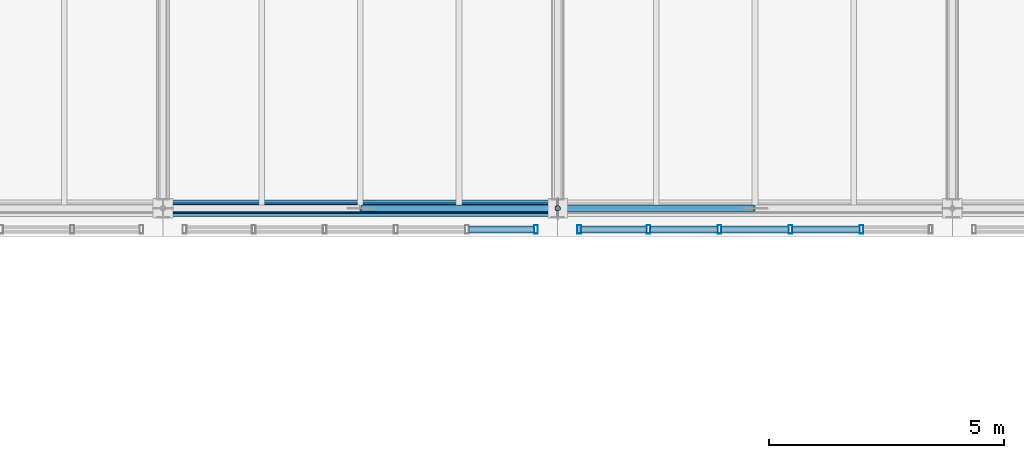
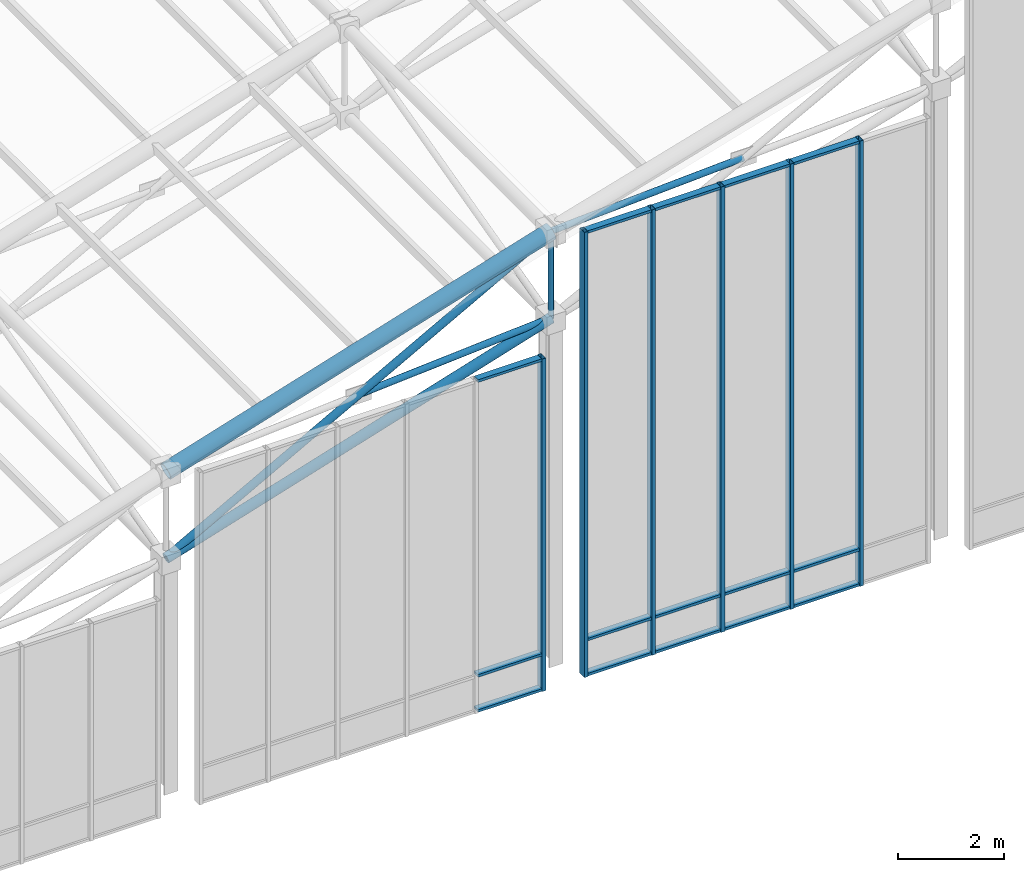
# One storey, part 18 of 144: 27 members, 2 elements without a shape of their own.
"""IFC4 building model written with IfcOpenShell, lengths in metres."""

from ifc_helpers import new_model, si_unit, direction, frame, origin, origin_2d, place, context, subcontext, project, spatial, hollow_rectangle, hollow_circle, extrude, material, layer, layer_set, material_profile, profile_set, type_object, element, aggregate, save


model = new_model("IFC4")

# Units and contexts
model_context = context("Model", 3, precision=1e-05, world=origin(), true_north=direction((0.0, 1.0)))
body_context = subcontext(model_context, "Body", "Model", "MODEL_VIEW")
ifc_project = project(units=[si_unit("LENGTHUNIT", "METRE"), si_unit("AREAUNIT", "SQUARE_METRE"), si_unit("VOLUMEUNIT", "CUBIC_METRE"), si_unit("PLANEANGLEUNIT", "RADIAN"), si_unit("MASSUNIT", "GRAM", prefix="KILO")], contexts=[model_context])

# Site, building, storey
site_placement = place(None, origin())
site = spatial("IfcSite", under=ifc_project, at=site_placement, CompositionType="ELEMENT")
building_placement = place(site_placement, origin())
building = spatial("IfcBuilding", under=site, at=building_placement, Name="Zayran Congress Hotel", CompositionType="ELEMENT")
storey_placement = place(building_placement, frame((0.0, 0.0, 19.199951171875)))
storey = spatial("IfcBuildingStorey", under=building, at=storey_placement, Name="L04", CompositionType="ELEMENT", Elevation=19.199951171875)

# Members
ifc_material_1 = material(Name="Steel S355", Category="steel")
ifc_material_profile_1 = material_profile(ifc_material_1, hollow_circle(Radius=0.177734375, WallThickness=0.01611328125, at=origin_2d()), Name="CHS 355.6x16")
ifc_profile_set_1 = profile_set([ifc_material_profile_1], Name="Steel S355")
member_type_1 = type_object("IfcMemberType", Name="TP-SF-TC1", PredefinedType="CHORD", material=ifc_profile_set_1)
member_1_placement = place(storey_placement, frame((25.199951171875, 68.199951171875, 7.302001953125), z_axis=(0.955284210171, 0.0, 0.29568915739), x_axis=(0.0, 1.0, 0.0)))
element("IfcMember", 1, at=member_1_placement, inside=storey, type_object=member_type_1, Name="Space Frame Top Chord X 113", PredefinedType="CHORD", context=body_context, shape_type="SweptSolid", body=[
    extrude(hollow_circle(Radius=0.177734375, WallThickness=0.01611328125, at=origin_2d()), origin(), (0.0, 0.0, 1.0), 8.79345703125),
])
ifc_material_profile_2 = material_profile(ifc_material_1, hollow_circle(Radius=0.109619140625, WallThickness=0.010009765625, at=origin_2d()), Name="CHS 219.1x10")
ifc_profile_set_2 = profile_set([ifc_material_profile_2], Name="Steel S355")
member_type_2 = type_object("IfcMemberType", Name="TP-SF-BC1", PredefinedType="CHORD", material=ifc_profile_set_2)
member_2_placement = place(storey_placement, frame((25.199951171875, 68.199951171875, 5.300048828125), z_axis=(0.955284210171, 0.0, 0.29568915739), x_axis=(0.0, 1.0, 0.0)))
element("IfcMember", 2, at=member_2_placement, inside=storey, type_object=member_type_2, Name="Space Frame Bottom Chord X 114", PredefinedType="CHORD", context=body_context, shape_type="SweptSolid", body=[
    extrude(hollow_circle(Radius=0.109619140625, WallThickness=0.010009765625, at=origin_2d()), origin(), (0.0, 0.0, 1.0), 8.79345703125),
])
ifc_material_profile_3 = material_profile(ifc_material_1, hollow_circle(Radius=0.084228515625, WallThickness=0.008056640625, at=origin_2d()), Name="CHS 168.3x8")
ifc_profile_set_3 = profile_set([ifc_material_profile_3], Name="Steel S355")
member_type_3 = type_object("IfcMemberType", Name="TP-SF-DG1", PredefinedType="BRACE", material=ifc_profile_set_3)
member_3_placement = place(storey_placement, frame((25.199951171875, 68.199951171875, 5.300048828125), z_axis=(0.877009581124, 0.0, 0.480472886453), x_axis=(0.0, 1.0, 0.0)))
element("IfcMember", 3, at=member_3_placement, inside=storey, type_object=member_type_3, Name="Space Frame Web Diagonal X 115", PredefinedType="BRACE", context=body_context, shape_type="SweptSolid", body=[
    extrude(hollow_circle(Radius=0.084228515625, WallThickness=0.008056640625, at=origin_2d()), origin(), (0.0, 0.0, 1.0), 9.578125),
])
ifc_material_profile_4 = material_profile(ifc_material_1, hollow_circle(Radius=0.06982421875, WallThickness=0.00634765625, at=origin_2d()), Name="CHS 139.7x6.3")
ifc_profile_set_4 = profile_set([ifc_material_profile_4], Name="Steel S355")
member_type_4 = type_object("IfcMemberType", Name="TP-SF-DG2", PredefinedType="BRACE", material=ifc_profile_set_4)
member_4_placement = place(storey_placement, frame((29.4150390625, 68.199951171875, 7.60205078125), z_axis=(0.997472858069, 0.0, 0.071048556744), x_axis=(0.0, 1.0, 0.0)))
element("IfcMember", 4, at=member_4_placement, inside=storey, type_object=member_type_4, Name="Space Frame Counter Diagonal X Lower 21", PredefinedType="BRACE", context=body_context, shape_type="SweptSolid", body=[
    extrude(hollow_circle(Radius=0.06982421875, WallThickness=0.00634765625, at=origin_2d()), origin(), (0.0, 0.0, 1.0), 4.195556640625),
])
member_5_placement = place(storey_placement, frame((33.60009765625, 68.199951171875, 9.902099609375), z_axis=(0.998581382954, 0.0, 0.053246799138), x_axis=(0.0, 1.0, 0.0)))
element("IfcMember", 5, at=member_5_placement, inside=storey, type_object=member_type_4, Name="Space Frame Counter Diagonal X Upper 169", PredefinedType="BRACE", context=body_context, shape_type="SweptSolid", body=[
    extrude(hollow_circle(Radius=0.06982421875, WallThickness=0.00634765625, at=origin_2d()), origin(), (0.0, 0.0, 1.0), 4.190673828125),
])
ifc_material_profile_5 = material_profile(ifc_material_1, hollow_circle(Radius=0.05712890625, WallThickness=0.00634765625, at=origin_2d()), Name="CHS 114.3x6.3")
ifc_profile_set_5 = profile_set([ifc_material_profile_5], Name="Steel S355")
member_type_5 = type_object("IfcMemberType", Name="TP-SF-DG3", PredefinedType="BRACE", material=ifc_profile_set_5)
member_6_placement = place(storey_placement, frame((33.60009765625, 68.199951171875, 7.900146484375), z_axis=(0.0, 0.0, 1.0), x_axis=(0.0, 1.0, 0.0)))
element("IfcMember", 6, at=member_6_placement, inside=storey, type_object=member_type_5, Name="Space Frame Web Strut 173", PredefinedType="BRACE", context=body_context, shape_type="SweptSolid", body=[
    extrude(hollow_circle(Radius=0.05712890625, WallThickness=0.00634765625, at=origin_2d()), origin(), (0.0, 0.0, 1.0), 2.001953125),
])

# Curtain wall, member
ifc_material_2 = material(Name="Anodised aluminium and low-E insulated glass", Category="aluminium")
ifc_layer_1 = layer(ifc_material_2, 0.179931640625)
ifc_layer_set_1 = layer_set([ifc_layer_1], Name="Anodised aluminium and low-E insulated glass")
curtain_wall_type_1 = type_object("IfcCurtainWallType", Name="CW-V1CL-L04-CW-13-7560-7670", PredefinedType="USERDEFINED", material=ifc_layer_set_1)
curtain_wall_1_placement = place(storey_placement, origin())
curtain_wall_1 = element("IfcCurtainWall", 7, at=curtain_wall_1_placement, inside=storey, type_object=curtain_wall_type_1, Name="CW-V1CLS-2", ObjectType="CURTAIN WALL", PredefinedType="USERDEFINED")
ifc_material_3 = material(Name="Anodised aluminium framing", Category="aluminium")
ifc_material_profile_6 = material_profile(ifc_material_3, hollow_rectangle(XDim=0.080078125, YDim=0.179931640625, WallThickness=0.0048828125, at=origin_2d()), Name="RHS 180x80x5")
ifc_profile_set_6 = profile_set([ifc_material_profile_6], Name="Anodised aluminium framing")
member_type_6 = type_object("IfcMemberType", Name="TP-CWM-01", PredefinedType="MULLION", material=ifc_profile_set_6)
member_7_placement = place(storey_placement, frame((33.139892578125, 67.75, -0.219970703125), z_axis=(0.0, 0.0, 1.0), x_axis=(1.0, 0.0, 0.0)))
member_7 = element("IfcMember", 8, at=member_7_placement, type_object=member_type_6, Name="CW-V1CLS-2-M05", PredefinedType="MULLION", context=body_context, shape_type="SweptSolid", body=[
    extrude(hollow_rectangle(XDim=0.080078125, YDim=0.179931640625, WallThickness=0.0048828125, at=origin_2d()), origin(), (0.0, 0.0, 1.0), 7.669921875),
])

# Curtain wall, members
ifc_layer_2 = layer(ifc_material_2, 0.179931640625)
ifc_layer_set_2 = layer_set([ifc_layer_2], Name="Anodised aluminium and low-E insulated glass")
curtain_wall_type_2 = type_object("IfcCurtainWallType", Name="CW-V1CL-L04-CW-11-7560-10270", PredefinedType="USERDEFINED", material=ifc_layer_set_2)
curtain_wall_2_placement = place(storey_placement, origin())
curtain_wall_2 = element("IfcCurtainWall", 9, at=curtain_wall_2_placement, inside=storey, type_object=curtain_wall_type_2, Name="CW-V1CLS-3", ObjectType="CURTAIN WALL", PredefinedType="USERDEFINED")
member_8_placement = place(storey_placement, frame((34.06005859375, 67.75, -0.219970703125), z_axis=(0.0, 0.0, 1.0), x_axis=(1.0, 0.0, 0.0)))
member_8 = element("IfcMember", 10, at=member_8_placement, type_object=member_type_6, Name="CW-V1CLS-3-M00", PredefinedType="MULLION", context=body_context, shape_type="SweptSolid", body=[
    extrude(hollow_rectangle(XDim=0.080078125, YDim=0.179931640625, WallThickness=0.0048828125, at=origin_2d()), origin(), (0.0, 0.0, 1.0), 10.27001953125),
])
member_9_placement = place(storey_placement, frame((35.531982421875, 67.75, -0.219970703125), z_axis=(0.0, 0.0, 1.0), x_axis=(1.0, 0.0, 0.0)))
member_9 = element("IfcMember", 11, at=member_9_placement, type_object=member_type_6, Name="CW-V1CLS-3-M01", PredefinedType="MULLION", context=body_context, shape_type="SweptSolid", body=[
    extrude(hollow_rectangle(XDim=0.080078125, YDim=0.179931640625, WallThickness=0.0048828125, at=origin_2d()), origin(), (0.0, 0.0, 1.0), 10.27001953125),
])
member_10_placement = place(storey_placement, frame((37.0439453125, 67.75, -0.219970703125), z_axis=(0.0, 0.0, 1.0), x_axis=(1.0, 0.0, 0.0)))
member_10 = element("IfcMember", 12, at=member_10_placement, type_object=member_type_6, Name="CW-V1CLS-3-M02", PredefinedType="MULLION", context=body_context, shape_type="SweptSolid", body=[
    extrude(hollow_rectangle(XDim=0.080078125, YDim=0.179931640625, WallThickness=0.0048828125, at=origin_2d()), origin(), (0.0, 0.0, 1.0), 10.27001953125),
])
member_11_placement = place(storey_placement, frame((38.555908203125, 67.75, -0.219970703125), z_axis=(0.0, 0.0, 1.0), x_axis=(1.0, 0.0, 0.0)))
member_11 = element("IfcMember", 13, at=member_11_placement, type_object=member_type_6, Name="CW-V1CLS-3-M03", PredefinedType="MULLION", context=body_context, shape_type="SweptSolid", body=[
    extrude(hollow_rectangle(XDim=0.080078125, YDim=0.179931640625, WallThickness=0.0048828125, at=origin_2d()), origin(), (0.0, 0.0, 1.0), 10.27001953125),
])
member_12_placement = place(storey_placement, frame((40.068115234375, 67.75, -0.219970703125), z_axis=(0.0, 0.0, 1.0), x_axis=(1.0, 0.0, 0.0)))
member_12 = element("IfcMember", 14, at=member_12_placement, type_object=member_type_6, Name="CW-V1CLS-3-M04", PredefinedType="MULLION", context=body_context, shape_type="SweptSolid", body=[
    extrude(hollow_rectangle(XDim=0.080078125, YDim=0.179931640625, WallThickness=0.0048828125, at=origin_2d()), origin(), (0.0, 0.0, 1.0), 10.27001953125),
])

# Member
ifc_material_profile_7 = material_profile(ifc_material_3, hollow_rectangle(XDim=0.06005859375, YDim=0.14990234375, WallThickness=0.00390625, at=origin_2d()), Name="RHS 150x60x4")
ifc_profile_set_7 = profile_set([ifc_material_profile_7], Name="Anodised aluminium framing")
member_type_7 = type_object("IfcMemberType", Name="TP-CWT-01", PredefinedType="USERDEFINED", material=ifc_profile_set_7)
member_13_placement = place(storey_placement, frame((31.7080078125, 67.75, -0.18994140625), z_axis=(1.0, 0.0, 0.0), x_axis=(0.0, 0.0, 1.0)))
member_13 = element("IfcMember", 15, at=member_13_placement, type_object=member_type_7, Name="CW-V1CLS-2-T04-0", ObjectType="TRANSOM", PredefinedType="USERDEFINED", context=body_context, shape_type="SweptSolid", body=[
    extrude(hollow_rectangle(XDim=0.06005859375, YDim=0.14990234375, WallThickness=0.00390625, at=origin_2d()), origin(), (0.0, 0.0, 1.0), 1.39208984375),
])

member_14_placement = place(storey_placement, frame((31.7080078125, 67.75, 0.6201171875), z_axis=(1.0, 0.0, 0.0), x_axis=(0.0, 0.0, 1.0)))
member_14 = element("IfcMember", 16, at=member_14_placement, type_object=member_type_7, Name="CW-V1CLS-2-T04-1", ObjectType="TRANSOM", PredefinedType="USERDEFINED", context=body_context, shape_type="SweptSolid", body=[
    extrude(hollow_rectangle(XDim=0.06005859375, YDim=0.14990234375, WallThickness=0.00390625, at=origin_2d()), origin(), (0.0, 0.0, 1.0), 1.39208984375),
])

member_15_placement = place(storey_placement, frame((31.7080078125, 67.75, 7.420166015625), z_axis=(1.0, 0.0, 0.0), x_axis=(0.0, 0.0, 1.0)))
member_15 = element("IfcMember", 17, at=member_15_placement, type_object=member_type_7, Name="CW-V1CLS-2-T04-2", ObjectType="TRANSOM", PredefinedType="USERDEFINED", context=body_context, shape_type="SweptSolid", body=[
    extrude(hollow_rectangle(XDim=0.06005859375, YDim=0.14990234375, WallThickness=0.00390625, at=origin_2d()), origin(), (0.0, 0.0, 1.0), 1.39208984375),
])

aggregate(curtain_wall_1, [member_7, member_13, member_14, member_15])

member_16_placement = place(storey_placement, frame((34.10009765625, 67.75, -0.18994140625), z_axis=(1.0, 0.0, 0.0), x_axis=(0.0, 0.0, 1.0)))
member_16 = element("IfcMember", 18, at=member_16_placement, type_object=member_type_7, Name="CW-V1CLS-3-T00-0", ObjectType="TRANSOM", PredefinedType="USERDEFINED", context=body_context, shape_type="SweptSolid", body=[
    extrude(hollow_rectangle(XDim=0.06005859375, YDim=0.14990234375, WallThickness=0.00390625, at=origin_2d()), origin(), (0.0, 0.0, 1.0), 1.391845703125),
])

member_17_placement = place(storey_placement, frame((34.10009765625, 67.75, 0.6201171875), z_axis=(1.0, 0.0, 0.0), x_axis=(0.0, 0.0, 1.0)))
member_17 = element("IfcMember", 19, at=member_17_placement, type_object=member_type_7, Name="CW-V1CLS-3-T00-1", ObjectType="TRANSOM", PredefinedType="USERDEFINED", context=body_context, shape_type="SweptSolid", body=[
    extrude(hollow_rectangle(XDim=0.06005859375, YDim=0.14990234375, WallThickness=0.00390625, at=origin_2d()), origin(), (0.0, 0.0, 1.0), 1.391845703125),
])

member_18_placement = place(storey_placement, frame((34.10009765625, 67.75, 10.02001953125), z_axis=(1.0, 0.0, 0.0), x_axis=(0.0, 0.0, 1.0)))
member_18 = element("IfcMember", 20, at=member_18_placement, type_object=member_type_7, Name="CW-V1CLS-3-T00-2", ObjectType="TRANSOM", PredefinedType="USERDEFINED", context=body_context, shape_type="SweptSolid", body=[
    extrude(hollow_rectangle(XDim=0.06005859375, YDim=0.14990234375, WallThickness=0.00390625, at=origin_2d()), origin(), (0.0, 0.0, 1.0), 1.391845703125),
])

member_19_placement = place(storey_placement, frame((35.572021484375, 67.75, -0.18994140625), z_axis=(1.0, 0.0, 0.0), x_axis=(0.0, 0.0, 1.0)))
member_19 = element("IfcMember", 21, at=member_19_placement, type_object=member_type_7, Name="CW-V1CLS-3-T01-0", ObjectType="TRANSOM", PredefinedType="USERDEFINED", context=body_context, shape_type="SweptSolid", body=[
    extrude(hollow_rectangle(XDim=0.06005859375, YDim=0.14990234375, WallThickness=0.00390625, at=origin_2d()), origin(), (0.0, 0.0, 1.0), 1.431884765625),
])

member_20_placement = place(storey_placement, frame((35.572021484375, 67.75, 0.6201171875), z_axis=(1.0, 0.0, 0.0), x_axis=(0.0, 0.0, 1.0)))
member_20 = element("IfcMember", 22, at=member_20_placement, type_object=member_type_7, Name="CW-V1CLS-3-T01-1", ObjectType="TRANSOM", PredefinedType="USERDEFINED", context=body_context, shape_type="SweptSolid", body=[
    extrude(hollow_rectangle(XDim=0.06005859375, YDim=0.14990234375, WallThickness=0.00390625, at=origin_2d()), origin(), (0.0, 0.0, 1.0), 1.431884765625),
])

member_21_placement = place(storey_placement, frame((35.572021484375, 67.75, 10.02001953125), z_axis=(1.0, 0.0, 0.0), x_axis=(0.0, 0.0, 1.0)))
member_21 = element("IfcMember", 23, at=member_21_placement, type_object=member_type_7, Name="CW-V1CLS-3-T01-2", ObjectType="TRANSOM", PredefinedType="USERDEFINED", context=body_context, shape_type="SweptSolid", body=[
    extrude(hollow_rectangle(XDim=0.06005859375, YDim=0.14990234375, WallThickness=0.00390625, at=origin_2d()), origin(), (0.0, 0.0, 1.0), 1.431884765625),
])

member_22_placement = place(storey_placement, frame((37.083984375, 67.75, -0.18994140625), z_axis=(1.0, 0.0, 0.0), x_axis=(0.0, 0.0, 1.0)))
member_22 = element("IfcMember", 24, at=member_22_placement, type_object=member_type_7, Name="CW-V1CLS-3-T02-0", ObjectType="TRANSOM", PredefinedType="USERDEFINED", context=body_context, shape_type="SweptSolid", body=[
    extrude(hollow_rectangle(XDim=0.06005859375, YDim=0.14990234375, WallThickness=0.00390625, at=origin_2d()), origin(), (0.0, 0.0, 1.0), 1.43212890625),
])

member_23_placement = place(storey_placement, frame((37.083984375, 67.75, 0.6201171875), z_axis=(1.0, 0.0, 0.0), x_axis=(0.0, 0.0, 1.0)))
member_23 = element("IfcMember", 25, at=member_23_placement, type_object=member_type_7, Name="CW-V1CLS-3-T02-1", ObjectType="TRANSOM", PredefinedType="USERDEFINED", context=body_context, shape_type="SweptSolid", body=[
    extrude(hollow_rectangle(XDim=0.06005859375, YDim=0.14990234375, WallThickness=0.00390625, at=origin_2d()), origin(), (0.0, 0.0, 1.0), 1.43212890625),
])

member_24_placement = place(storey_placement, frame((37.083984375, 67.75, 10.02001953125), z_axis=(1.0, 0.0, 0.0), x_axis=(0.0, 0.0, 1.0)))
member_24 = element("IfcMember", 26, at=member_24_placement, type_object=member_type_7, Name="CW-V1CLS-3-T02-2", ObjectType="TRANSOM", PredefinedType="USERDEFINED", context=body_context, shape_type="SweptSolid", body=[
    extrude(hollow_rectangle(XDim=0.06005859375, YDim=0.14990234375, WallThickness=0.00390625, at=origin_2d()), origin(), (0.0, 0.0, 1.0), 1.43212890625),
])

member_25_placement = place(storey_placement, frame((38.595947265625, 67.75, -0.18994140625), z_axis=(1.0, 0.0, 0.0), x_axis=(0.0, 0.0, 1.0)))
member_25 = element("IfcMember", 27, at=member_25_placement, type_object=member_type_7, Name="CW-V1CLS-3-T03-0", ObjectType="TRANSOM", PredefinedType="USERDEFINED", context=body_context, shape_type="SweptSolid", body=[
    extrude(hollow_rectangle(XDim=0.06005859375, YDim=0.14990234375, WallThickness=0.00390625, at=origin_2d()), origin(), (0.0, 0.0, 1.0), 1.43212890625),
])

member_26_placement = place(storey_placement, frame((38.595947265625, 67.75, 0.6201171875), z_axis=(1.0, 0.0, 0.0), x_axis=(0.0, 0.0, 1.0)))
member_26 = element("IfcMember", 28, at=member_26_placement, type_object=member_type_7, Name="CW-V1CLS-3-T03-1", ObjectType="TRANSOM", PredefinedType="USERDEFINED", context=body_context, shape_type="SweptSolid", body=[
    extrude(hollow_rectangle(XDim=0.06005859375, YDim=0.14990234375, WallThickness=0.00390625, at=origin_2d()), origin(), (0.0, 0.0, 1.0), 1.43212890625),
])

member_27_placement = place(storey_placement, frame((38.595947265625, 67.75, 10.02001953125), z_axis=(1.0, 0.0, 0.0), x_axis=(0.0, 0.0, 1.0)))
member_27 = element("IfcMember", 29, at=member_27_placement, type_object=member_type_7, Name="CW-V1CLS-3-T03-2", ObjectType="TRANSOM", PredefinedType="USERDEFINED", context=body_context, shape_type="SweptSolid", body=[
    extrude(hollow_rectangle(XDim=0.06005859375, YDim=0.14990234375, WallThickness=0.00390625, at=origin_2d()), origin(), (0.0, 0.0, 1.0), 1.43212890625),
])

aggregate(curtain_wall_2, [member_8, member_9, member_10, member_11, member_12, member_16, member_17, member_18, member_19, member_20, member_21, member_22, member_23, member_24, member_25, member_26, member_27])

save(model, "model.ifc")
